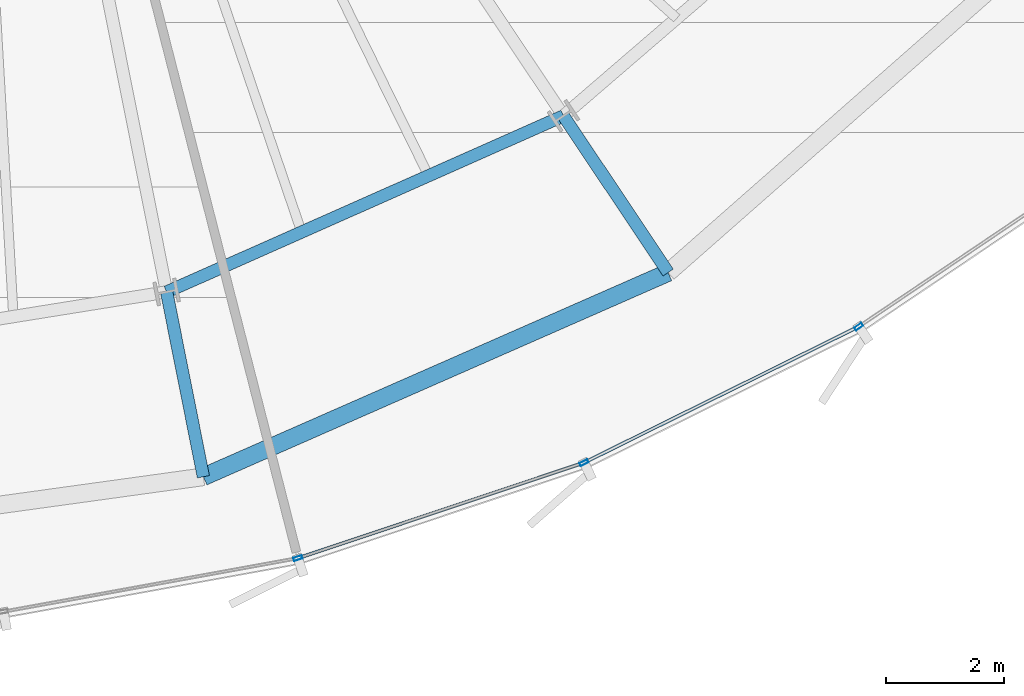
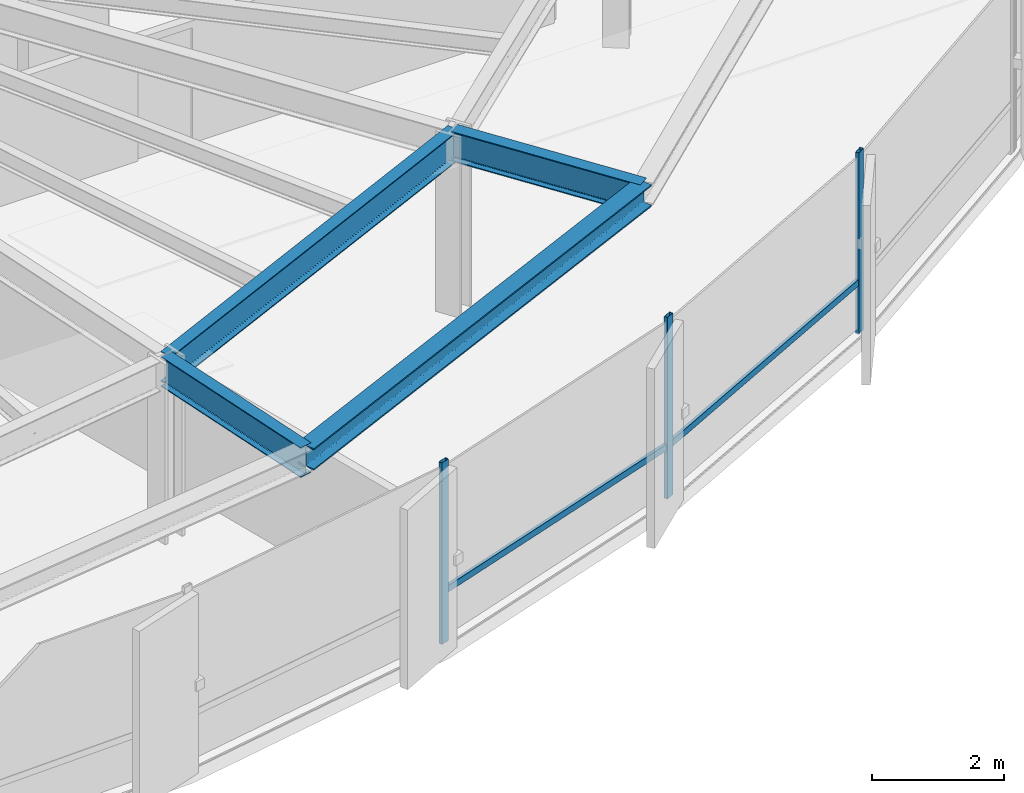
# One storey, part 11 of 35: 5 members, 4 beams, 1 element without a shape of its own.
"""IFC4 building model written with IfcOpenShell, lengths in metres."""

from ifc_helpers import new_model, si_unit, direction, frame, origin, origin_2d, place, context, subcontext, project, spatial, hollow_rectangle, i_section, extrude, source, transform, mapped, material, layer, layer_set, material_profile, profile_set, type_object, element, aggregate, save


model = new_model("IFC4")

# Units and contexts
model_context = context("Model", 3, precision=1e-05, world=origin(), true_north=direction((0.0, 1.0)))
body_context = subcontext(model_context, "Body", "Model", "MODEL_VIEW")
ifc_project = project(units=[si_unit("LENGTHUNIT", "METRE"), si_unit("AREAUNIT", "SQUARE_METRE"), si_unit("VOLUMEUNIT", "CUBIC_METRE"), si_unit("PLANEANGLEUNIT", "RADIAN"), si_unit("MASSUNIT", "GRAM", prefix="KILO"), si_unit("THERMODYNAMICTEMPERATUREUNIT", "KELVIN")], contexts=[model_context])

# Site, building, storey
site_placement = place(None, origin())
site = spatial("IfcSite", under=ifc_project, at=site_placement, CompositionType="ELEMENT")
building_placement = place(site_placement, origin())
building = spatial("IfcBuilding", under=site, at=building_placement, Name="Kethvar Cultural Tower", CompositionType="ELEMENT")
storey_placement = place(building_placement, frame((0.0, 0.0, 92.800048828125)))
storey = spatial("IfcBuildingStorey", under=building, at=storey_placement, Name="L22", CompositionType="ELEMENT", Elevation=92.800048828125)

# Beams
ifc_material_1 = material(Name="Steel S355J2", Category="steel")
ifc_material_profile_1 = material_profile(ifc_material_1, i_section(OverallWidth=0.2099609375, OverallDepth=0.550048828125, WebThickness=0.010986328125, FlangeThickness=0.01708984375, FilletRadius=0.02392578125, at=origin_2d()), Name="Steel S355J2 — IPE550")
ifc_profile_set_1 = profile_set([ifc_material_profile_1], Name="Steel S355J2 — IPE550")
beam_type_1 = type_object("IfcBeamType", Name="BM-IPE550", PredefinedType="BEAM", material=ifc_profile_set_1)
shared_shape_1 = source(origin(), body_context, "Body", "SweptSolid", [
    extrude(i_section(OverallWidth=0.2099609375, OverallDepth=0.550048828125, WebThickness=0.010986328125, FlangeThickness=0.01708984375, FilletRadius=0.02392578125, at=origin_2d()), origin(), (0.0, 0.0, 1.0), 3.199951171875),
])
beam_1_placement = place(storey_placement, frame((57.241943359375, 12.17236328125, 3.072998046875), z_axis=(0.555580212716, -0.831462943996, 0.0), x_axis=(0.831462943996, 0.555580212716, 0.0)))
element("IfcBeam", 1, at=beam_1_placement, inside=storey, type_object=beam_type_1, Name="L22 Perimeter Cantilever Beam RC-14", PredefinedType="BEAM", context=body_context, shape_type="MappedRepresentation", body=[
    mapped(shared_shape_1, transform((0.0, 0.0, 0.0), scale=1.0)),
])
shared_shape_2 = source(origin(), body_context, "Body", "SweptSolid", [
    extrude(i_section(OverallWidth=0.2099609375, OverallDepth=0.550048828125, WebThickness=0.010986328125, FlangeThickness=0.01708984375, FilletRadius=0.02392578125, at=origin_2d()), origin(), (0.0, 0.0, 1.0), 3.2001953125),
])
beam_2_placement = place(storey_placement, frame((50.50341796875, 9.182373046875, 3.072998046875), z_axis=(0.195074368086, -0.980788453702, 0.0), x_axis=(0.980788453702, 0.195074368086, 0.0)))
element("IfcBeam", 2, at=beam_2_placement, inside=storey, type_object=beam_type_1, Name="L22 Perimeter Cantilever Beam RC-13", PredefinedType="BEAM", context=body_context, shape_type="MappedRepresentation", body=[
    mapped(shared_shape_2, transform((0.0, 0.0, 0.0), scale=1.0)),
])
shared_shape_3 = source(origin(), body_context, "Body", "SweptSolid", [
    extrude(i_section(OverallWidth=0.2099609375, OverallDepth=0.550048828125, WebThickness=0.010986328125, FlangeThickness=0.01708984375, FilletRadius=0.02392578125, at=origin_2d()), origin(), (0.0, 0.0, 1.0), 7.3720703125),
])
beam_3_placement = place(storey_placement, frame((50.50341796875, 9.182373046875, 3.072998046875), z_axis=(0.914058560918, 0.405582232367, 0.0), x_axis=(-0.405582232367, 0.914058560918, 0.0)))
element("IfcBeam", 3, at=beam_3_placement, inside=storey, type_object=beam_type_1, Name="L22 Column Ring Tie Beam CR-13", PredefinedType="BEAM", context=body_context, shape_type="MappedRepresentation", body=[
    mapped(shared_shape_3, transform((0.0, 0.0, 0.0), scale=1.0)),
])
ifc_material_profile_2 = material_profile(ifc_material_1, i_section(OverallWidth=0.300048828125, OverallDepth=0.39990234375, WebThickness=0.013427734375, FlangeThickness=0.02392578125, FilletRadius=0.027099609375, at=origin_2d()), Name="Steel S355J2 — HEB400")
ifc_profile_set_2 = profile_set([ifc_material_profile_2], Name="Steel S355J2 — HEB400")
beam_type_2 = type_object("IfcBeamType", Name="BM-SP400", PredefinedType="SPANDREL", material=ifc_profile_set_2)
shared_shape_4 = source(origin(), body_context, "Body", "SweptSolid", [
    extrude(i_section(OverallWidth=0.300048828125, OverallDepth=0.39990234375, WebThickness=0.013427734375, FlangeThickness=0.02392578125, FilletRadius=0.027099609375, at=origin_2d()), origin(), (0.0, 0.0, 1.0), 8.620361328125),
])
beam_4_placement = place(storey_placement, frame((51.127685546875, 6.043701171875, 3.14794921875), z_axis=(0.915507442902, 0.402301034041, 0.0), x_axis=(-0.402301034041, 0.915507442902, 0.0)))
element("IfcBeam", 4, at=beam_4_placement, inside=storey, type_object=beam_type_2, Name="L22 Perimeter Spandrel Beam SP-13", PredefinedType="SPANDREL", context=body_context, shape_type="MappedRepresentation", body=[
    mapped(shared_shape_4, transform((0.0, 0.0, 0.0), scale=1.0)),
])

# Curtain wall, members
ifc_material_2 = material(Name="Aluminium 6063-T6", Category="aluminium")
ifc_layer = layer(ifc_material_2, 0.179931640625, Name="Aluminium 6063-T6", Category="aluminium")
ifc_layer_set = layer_set([ifc_layer], Name="Aluminium 6063-T6 (180 mm)")
curtain_wall_type = type_object("IfcCurtainWallType", Name="CW-SYS-03-Z2", PredefinedType="NOTDEFINED", material=ifc_layer_set)
curtain_wall_placement = place(storey_placement, origin())
curtain_wall = element("IfcCurtainWall", 5, at=curtain_wall_placement, inside=storey, type_object=curtain_wall_type, Name="L22 Curtain Wall Run 05", PredefinedType="NOTDEFINED")
ifc_material_profile_3 = material_profile(ifc_material_2, hollow_rectangle(XDim=0.06005859375, YDim=0.14990234375, WallThickness=0.0048828125, at=origin_2d()), Name="Aluminium 6063-T6 — RHS150x60x5")
ifc_profile_set_3 = profile_set([ifc_material_profile_3], Name="Aluminium 6063-T6 — RHS150x60x5")
member_type_1 = type_object("IfcMemberType", Name="CW-SYS-03-Z2-MUL", PredefinedType="MULLION", material=ifc_profile_set_3)
shared_shape_5 = source(origin(), body_context, "Body", "SweptSolid", [
    extrude(hollow_rectangle(XDim=0.06005859375, YDim=0.14990234375, WallThickness=0.0048828125, at=origin_2d()), origin(), (0.0, 0.0, 1.0), 3.349853515625),
])
member_1_placement = place(storey_placement, frame((52.732666015625, 4.6611328125, 0.0), z_axis=(0.0, 0.0, 1.0), x_axis=(-0.316824626047, 0.948484136046, 0.0)))
member_1 = element("IfcMember", 6, at=member_1_placement, type_object=member_type_1, Name="CW-L22-R05 Mullion 4", PredefinedType="MULLION", context=body_context, shape_type="MappedRepresentation", body=[
    mapped(shared_shape_5, transform((0.0, 0.0, 0.0), scale=1.0)),
])
member_2_placement = place(storey_placement, frame((57.5908203125, 6.28271484375, 0.0), z_axis=(0.0, 0.0, 1.0), x_axis=(-0.444134850044, 0.895959951659, 0.0)))
member_2 = element("IfcMember", 7, at=member_2_placement, type_object=member_type_1, Name="CW-L22-R05 Mullion 5", PredefinedType="MULLION", context=body_context, shape_type="MappedRepresentation", body=[
    mapped(shared_shape_5, transform((0.0, 0.0, 0.0), scale=1.0)),
])
member_3_placement = place(storey_placement, frame((62.256103515625, 8.59423828125, 0.0), z_axis=(0.0, 0.0, 1.0), x_axis=(-0.558831114369, 0.829281487562, 0.0)))
member_3 = element("IfcMember", 8, at=member_3_placement, type_object=member_type_1, Name="CW-L22-R05 Mullion 6", PredefinedType="MULLION", context=body_context, shape_type="MappedRepresentation", body=[
    mapped(shared_shape_5, transform((0.0, 0.0, 0.0), scale=1.0)),
])
ifc_material_profile_4 = material_profile(ifc_material_2, hollow_rectangle(XDim=0.054931640625, YDim=0.1201171875, WallThickness=0.00390625, at=origin_2d()), Name="Aluminium 6063-T6 — RHS120x55x4")
ifc_profile_set_4 = profile_set([ifc_material_profile_4], Name="Aluminium 6063-T6 — RHS120x55x4")
member_type_2 = type_object("IfcMemberType", Name="CW-SYS-03-Z2-TRN", PredefinedType="USERDEFINED", material=ifc_profile_set_4)
shared_shape_6 = source(origin(), body_context, "Body", "SweptSolid", [
    extrude(hollow_rectangle(XDim=0.054931640625, YDim=0.1201171875, WallThickness=0.00390625, at=origin_2d()), origin(), (0.0, 0.0, 1.0), 5.051025390625),
])
member_4_placement = place(storey_placement, frame((52.773681640625, 4.6748046875, 0.949951171875), z_axis=(0.948494619627, 0.316793239415, 0.0), x_axis=(-0.316793239415, 0.948494619627, 0.0)))
member_4 = element("IfcMember", 9, at=member_4_placement, type_object=member_type_2, Name="CW-L22-R05 Transom 4", ObjectType="TRANSOM", PredefinedType="USERDEFINED", context=body_context, shape_type="MappedRepresentation", body=[
    mapped(shared_shape_6, transform((0.0, 0.0, 0.0), scale=1.0)),
])
shared_shape_7 = source(origin(), body_context, "Body", "SweptSolid", [
    extrude(hollow_rectangle(XDim=0.054931640625, YDim=0.1201171875, WallThickness=0.00390625, at=origin_2d()), origin(), (0.0, 0.0, 1.0), 5.1357421875),
])
member_5_placement = place(storey_placement, frame((57.62939453125, 6.3017578125, 0.949951171875), z_axis=(0.895952682001, 0.444149514933, 0.0), x_axis=(-0.444149514933, 0.895952682001, 0.0)))
member_5 = element("IfcMember", 10, at=member_5_placement, type_object=member_type_2, Name="CW-L22-R05 Transom 5", ObjectType="TRANSOM", PredefinedType="USERDEFINED", context=body_context, shape_type="MappedRepresentation", body=[
    mapped(shared_shape_7, transform((0.0, 0.0, 0.0), scale=1.0)),
])
aggregate(curtain_wall, [member_1, member_2, member_3, member_4, member_5])

save(model, "model.ifc")
